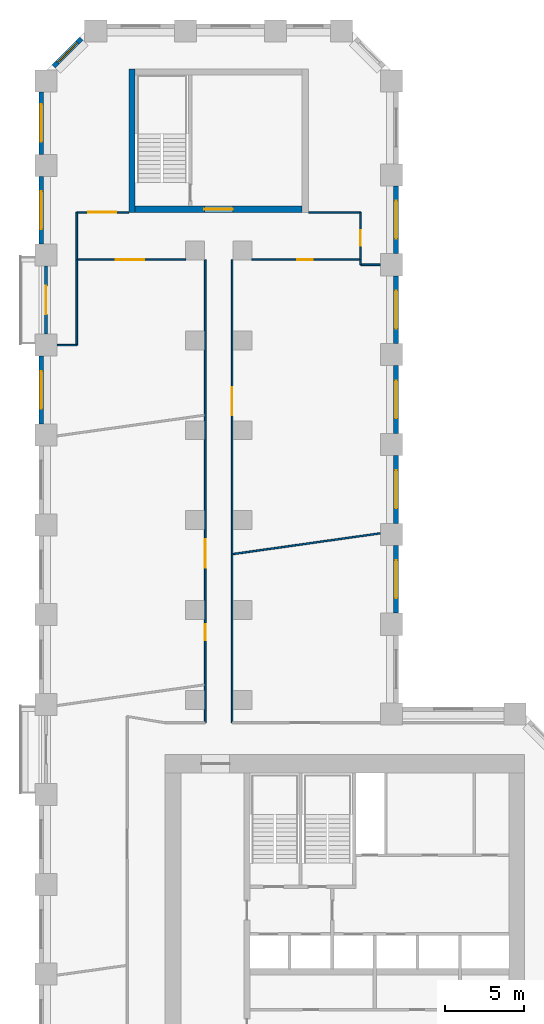
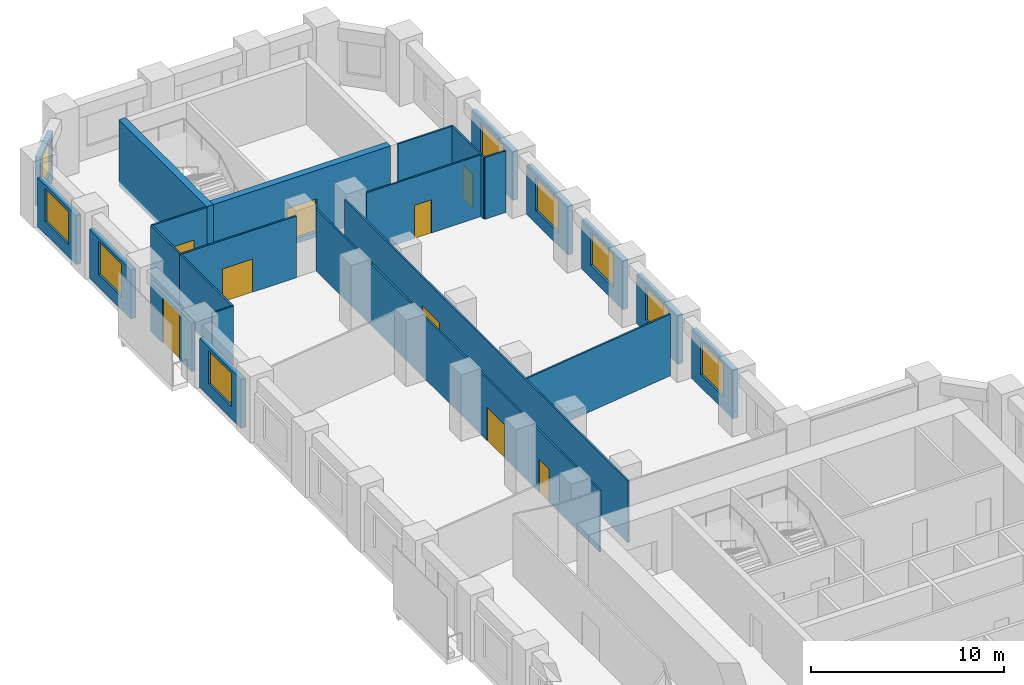
# One storey, part 9 of 12: 25 walls, 9 doors, 9 windows, 18 openings.
"""IFC4 building model written with IfcOpenShell, lengths in metres."""

from ifc_helpers import new_model, si_unit, direction, frame, frame_2d, origin, place, context, subcontext, project, spatial, rectangle, extrude, material, layer, layer_set, type_object, element, fill, save


model = new_model("IFC4")

# Units and contexts
model_context = context("Model", 3, precision=1e-05, world=origin(), true_north=direction((0.0, 1.0)))
body_context = subcontext(model_context, "Body", "Model", "MODEL_VIEW")
ifc_project = project(units=[si_unit("LENGTHUNIT", "METRE"), si_unit("AREAUNIT", "SQUARE_METRE"), si_unit("VOLUMEUNIT", "CUBIC_METRE"), si_unit("PLANEANGLEUNIT", "RADIAN"), si_unit("MASSUNIT", "GRAM", prefix="KILO")], contexts=[model_context])

# Site, building, storey
site_placement = place(None, origin())
site = spatial("IfcSite", under=ifc_project, at=site_placement, CompositionType="ELEMENT")
building_placement = place(site_placement, origin())
building = spatial("IfcBuilding", under=site, at=building_placement, Name="Meshkara Civic Tower", CompositionType="ELEMENT")
storey_placement = place(building_placement, frame((0.0, 0.0, 62.39990234375)))
storey = spatial("IfcBuildingStorey", under=building, at=storey_placement, Name="L13", CompositionType="ELEMENT", Elevation=62.39990234375)

# Wall, opening, door
ifc_material_1 = material(Name="Corridor wall 100")
ifc_layer_1 = layer(ifc_material_1, 0.10009765625)
ifc_layer_set_1 = layer_set([ifc_layer_1], Name="Corridor wall 100")
wall_type_1 = type_object("IfcWallType", Name="Corridor wall 100", PredefinedType="PARTITIONING", material=ifc_layer_set_1)
wall_1_placement = place(storey_placement, frame((2.39990234375, 68.27001953125, 0.0), z_axis=(0.0, 0.0, 1.0), x_axis=(1.0, 0.0, 0.0)))
wall_1 = element("IfcWall", 1, at=wall_1_placement, inside=storey, type_object=wall_type_1, Name="L13-W001", PredefinedType="PARTITIONING", context=body_context, shape_type="SweptSolid", body=[
    extrude(rectangle(XDim=6.900146484375, YDim=0.10009765625, at=frame_2d((3.4501953125, 0.0))), origin(), (0.0, 0.0, 1.0), 3.900146484375),
])
opening_1_placement = place(wall_1_placement, frame((2.47998046875, 0.0, 0.0)))
opening_1 = element("IfcOpeningElement", 2, at=opening_1_placement, cuts=wall_1, Name="Opening L13-D024", PredefinedType="OPENING", context=body_context, shape_type="SweptSolid", body=[
    extrude(rectangle(XDim=1.800048828125, YDim=2.10009765625, at=frame_2d((0.89990234375, 1.050048828125))), frame((0.0, 0.06005859375, 0.0), z_axis=(0.0, -1.0, 0.0), x_axis=(1.0, 0.0, 0.0)), (0.0, 0.0, 1.0), 0.1201171875),
])
ifc_material_2 = material(Name="Door pair 1800 x 2100")
door_type_1 = type_object("IfcDoorType", Name="Door pair 1800 x 2100", OperationType="SINGLE_SWING_LEFT", PredefinedType="DOOR", material=ifc_material_2)
door_1_placement = place(opening_1_placement, origin())
door_1 = element("IfcDoor", 3, at=door_1_placement, inside=storey, type_object=door_type_1, Name="L13-D024", OperationType="DOUBLE_DOOR_SINGLE_SWING", OverallHeight=2.10009765625, OverallWidth=1.800048828125, PredefinedType="DOOR", context=body_context, shape_type="SweptSolid", body=[
    extrude(rectangle(XDim=1.800048828125, YDim=2.10009765625, at=frame_2d((0.89990234375, 1.050048828125))), frame((0.0, 0.02490234375, 0.0), z_axis=(0.0, -1.0, 0.0), x_axis=(1.0, 0.0, 0.0)), (0.0, 0.0, 1.0), 0.050048828125),
])
fill(opening_1, door_1)

# Wall
wall_2_placement = place(storey_placement, frame((2.39990234375, 71.27001953125, 0.0), z_axis=(0.0, 0.0, 1.0), x_axis=(0.0, -1.0, 0.0)))
element("IfcWall", 4, at=wall_2_placement, inside=storey, type_object=wall_type_1, Name="L13-W002", PredefinedType="PARTITIONING", context=body_context, shape_type="SweptSolid", body=[
    extrude(rectangle(XDim=3.0, YDim=0.10009765625, at=frame_2d((1.5, 0.0))), origin(), (0.0, 0.0, 1.0), 3.900146484375),
])

# Wall, opening, door
wall_3_placement = place(storey_placement, frame((5.699951171875, 71.27001953125, 0.0), z_axis=(0.0, 0.0, 1.0), x_axis=(-1.0, 0.0, 0.0)))
wall_3 = element("IfcWall", 5, at=wall_3_placement, inside=storey, type_object=wall_type_1, Name="L13-W005", PredefinedType="PARTITIONING", context=body_context, shape_type="SweptSolid", body=[
    extrude(rectangle(XDim=3.300048828125, YDim=0.10009765625, at=frame_2d((1.64990234375, 0.0))), origin(), (0.0, 0.0, 1.0), 3.900146484375),
])
opening_2_placement = place(wall_3_placement, frame((0.780029296875, 0.0, 0.0)))
opening_2 = element("IfcOpeningElement", 6, at=opening_2_placement, cuts=wall_3, Name="Opening L13-D023", PredefinedType="OPENING", context=body_context, shape_type="SweptSolid", body=[
    extrude(rectangle(XDim=1.800048828125, YDim=2.10009765625, at=frame_2d((0.89990234375, 1.050048828125))), frame((0.0, 0.06005859375, 0.0), z_axis=(0.0, -1.0, 0.0), x_axis=(1.0, 0.0, 0.0)), (0.0, 0.0, 1.0), 0.1201171875),
])
door_2_placement = place(opening_2_placement, origin())
door_2 = element("IfcDoor", 7, at=door_2_placement, inside=storey, type_object=door_type_1, Name="L13-D023", OperationType="DOUBLE_DOOR_SINGLE_SWING", OverallHeight=2.10009765625, OverallWidth=1.800048828125, PredefinedType="DOOR", context=body_context, shape_type="SweptSolid", body=[
    extrude(rectangle(XDim=1.800048828125, YDim=2.10009765625, at=frame_2d((0.89990234375, 1.050048828125))), frame((0.0, 0.02490234375, 0.0), z_axis=(0.0, -1.0, 0.0), x_axis=(1.0, 0.0, 0.0)), (0.0, 0.0, 1.0), 0.050048828125),
])
fill(opening_2, door_2)

# Wall, openings, doors
wall_4_placement = place(storey_placement, frame((10.550048828125, 68.27001953125, 0.0), z_axis=(0.0, 0.0, 1.0), x_axis=(0.0, -1.0, 0.0)))
wall_4 = element("IfcWall", 8, at=wall_4_placement, inside=storey, type_object=wall_type_1, Name="L13-W013", PredefinedType="PARTITIONING", context=body_context, shape_type="SweptSolid", body=[
    extrude(rectangle(XDim=29.3701171875, YDim=0.10009765625, at=frame_2d((14.68505859375, 0.0))), origin(), (0.0, 0.0, 1.0), 3.900146484375),
])
opening_3_placement = place(wall_4_placement, frame((23.136962890625, 0.0, 0.0)))
opening_3 = element("IfcOpeningElement", 9, at=opening_3_placement, cuts=wall_4, Name="Opening L13-D020", PredefinedType="OPENING", context=body_context, shape_type="SweptSolid", body=[
    extrude(rectangle(XDim=1.0, YDim=2.10009765625, at=frame_2d((0.5, 1.050048828125))), frame((0.0, 0.06005859375, 0.0), z_axis=(0.0, -1.0, 0.0), x_axis=(1.0, 0.0, 0.0)), (0.0, 0.0, 1.0), 0.1201171875),
])
opening_4_placement = place(wall_4_placement, frame((17.737060546875, 0.0, 0.0)))
opening_4 = element("IfcOpeningElement", 10, at=opening_4_placement, cuts=wall_4, Name="Opening L13-D021", PredefinedType="OPENING", context=body_context, shape_type="SweptSolid", body=[
    extrude(rectangle(XDim=1.800048828125, YDim=2.10009765625, at=frame_2d((0.89990234375, 1.050048828125))), frame((0.0, 0.06005859375, 0.0), z_axis=(0.0, -1.0, 0.0), x_axis=(1.0, 0.0, 0.0)), (0.0, 0.0, 1.0), 0.1201171875),
])
ifc_material_3 = material(Name="Door 1000 x 2100")
door_type_2 = type_object("IfcDoorType", Name="Door 1000 x 2100", OperationType="SINGLE_SWING_LEFT", PredefinedType="DOOR", material=ifc_material_3)
door_3_placement = place(opening_3_placement, origin())
door_3 = element("IfcDoor", 11, at=door_3_placement, inside=storey, type_object=door_type_2, Name="L13-D020", OperationType="SINGLE_SWING_LEFT", OverallHeight=2.10009765625, OverallWidth=1.0, PredefinedType="DOOR", context=body_context, shape_type="SweptSolid", body=[
    extrude(rectangle(XDim=1.0, YDim=2.10009765625, at=frame_2d((0.5, 1.050048828125))), frame((0.0, 0.02490234375, 0.0), z_axis=(0.0, -1.0, 0.0), x_axis=(1.0, 0.0, 0.0)), (0.0, 0.0, 1.0), 0.050048828125),
])
fill(opening_3, door_3)
door_4_placement = place(opening_4_placement, origin())
door_4 = element("IfcDoor", 12, at=door_4_placement, inside=storey, type_object=door_type_1, Name="L13-D021", OperationType="DOUBLE_DOOR_SINGLE_SWING", OverallHeight=2.10009765625, OverallWidth=1.800048828125, PredefinedType="DOOR", context=body_context, shape_type="SweptSolid", body=[
    extrude(rectangle(XDim=1.800048828125, YDim=2.10009765625, at=frame_2d((0.89990234375, 1.050048828125))), frame((0.0, 0.02490234375, 0.0), z_axis=(0.0, -1.0, 0.0), x_axis=(1.0, 0.0, 0.0)), (0.0, 0.0, 1.0), 0.050048828125),
])
fill(opening_4, door_4)

# Wall, opening, door
wall_5_placement = place(storey_placement, frame((12.25, 68.27001953125, 0.0), z_axis=(0.0, 0.0, 1.0), x_axis=(0.0, -1.0, 0.0)))
wall_5 = element("IfcWall", 13, at=wall_5_placement, inside=storey, type_object=wall_type_1, Name="L13-W014", PredefinedType="PARTITIONING", context=body_context, shape_type="SweptSolid", body=[
    extrude(rectangle(XDim=29.3701171875, YDim=0.10009765625, at=frame_2d((14.68505859375, 0.0))), origin(), (0.0, 0.0, 1.0), 3.900146484375),
])
opening_5_placement = place(wall_5_placement, frame((8.080078125, 0.0, 0.0)))
opening_5 = element("IfcOpeningElement", 14, at=opening_5_placement, cuts=wall_5, Name="Opening L13-D022", PredefinedType="OPENING", context=body_context, shape_type="SweptSolid", body=[
    extrude(rectangle(XDim=1.800048828125, YDim=2.10009765625, at=frame_2d((0.89990234375, 1.050048828125))), frame((0.0, 0.06005859375, 0.0), z_axis=(0.0, -1.0, 0.0), x_axis=(1.0, 0.0, 0.0)), (0.0, 0.0, 1.0), 0.1201171875),
])
door_5_placement = place(opening_5_placement, origin())
door_5 = element("IfcDoor", 15, at=door_5_placement, inside=storey, type_object=door_type_1, Name="L13-D022", OperationType="DOUBLE_DOOR_SINGLE_SWING", OverallHeight=2.10009765625, OverallWidth=1.800048828125, PredefinedType="DOOR", context=body_context, shape_type="SweptSolid", body=[
    extrude(rectangle(XDim=1.800048828125, YDim=2.10009765625, at=frame_2d((0.89990234375, 1.050048828125))), frame((0.0, 0.02490234375, 0.0), z_axis=(0.0, -1.0, 0.0), x_axis=(1.0, 0.0, 0.0)), (0.0, 0.0, 1.0), 0.050048828125),
])
fill(opening_5, door_5)

wall_6_placement = place(storey_placement, frame((13.5, 68.27001953125, 0.0), z_axis=(0.0, 0.0, 1.0), x_axis=(1.0, 0.0, 0.0)))
wall_6 = element("IfcWall", 16, at=wall_6_placement, inside=storey, type_object=wall_type_1, Name="L13-W016", PredefinedType="PARTITIONING", context=body_context, shape_type="SweptSolid", body=[
    extrude(rectangle(XDim=6.89990234375, YDim=0.10009765625, at=frame_2d((3.449951171875, 0.0))), origin(), (0.0, 0.0, 1.0), 3.900146484375),
])
opening_6_placement = place(wall_6_placement, frame((2.8798828125, 0.0, 0.0)))
opening_6 = element("IfcOpeningElement", 17, at=opening_6_placement, cuts=wall_6, Name="Opening L13-D025", PredefinedType="OPENING", context=body_context, shape_type="SweptSolid", body=[
    extrude(rectangle(XDim=1.0, YDim=2.10009765625, at=frame_2d((0.5, 1.050048828125))), frame((0.0, 0.06005859375, 0.0), z_axis=(0.0, -1.0, 0.0), x_axis=(1.0, 0.0, 0.0)), (0.0, 0.0, 1.0), 0.1201171875),
])
door_6_placement = place(opening_6_placement, origin())
door_6 = element("IfcDoor", 18, at=door_6_placement, inside=storey, type_object=door_type_2, Name="L13-D025", OperationType="SINGLE_SWING_RIGHT", OverallHeight=2.10009765625, OverallWidth=1.0, PredefinedType="DOOR", context=body_context, shape_type="SweptSolid", body=[
    extrude(rectangle(XDim=1.0, YDim=2.10009765625, at=frame_2d((0.5, 1.050048828125))), frame((0.0, 0.02490234375, 0.0), z_axis=(0.0, -1.0, 0.0), x_axis=(1.0, 0.0, 0.0)), (0.0, 0.0, 1.0), 0.050048828125),
])
fill(opening_6, door_6)

wall_7_placement = place(storey_placement, frame((20.39990234375, 68.27001953125, 0.0), z_axis=(0.0, 0.0, 1.0), x_axis=(0.0, 1.0, 0.0)))
wall_7 = element("IfcWall", 19, at=wall_7_placement, inside=storey, type_object=wall_type_1, Name="L13-W017", PredefinedType="PARTITIONING", context=body_context, shape_type="SweptSolid", body=[
    extrude(rectangle(XDim=3.0, YDim=0.10009765625, at=frame_2d((1.5, 0.0))), origin(), (0.0, 0.0, 1.0), 3.900146484375),
])
opening_7_placement = place(wall_7_placement, frame((0.8798828125, 0.0, 0.0)))
opening_7 = element("IfcOpeningElement", 20, at=opening_7_placement, cuts=wall_7, Name="Opening L13-D026", PredefinedType="OPENING", context=body_context, shape_type="SweptSolid", body=[
    extrude(rectangle(XDim=1.0, YDim=2.10009765625, at=frame_2d((0.5, 1.050048828125))), frame((0.0, 0.06005859375, 0.0), z_axis=(0.0, -1.0, 0.0), x_axis=(1.0, 0.0, 0.0)), (0.0, 0.0, 1.0), 0.1201171875),
])
door_7_placement = place(opening_7_placement, origin())
door_7 = element("IfcDoor", 21, at=door_7_placement, inside=storey, type_object=door_type_2, Name="L13-D026", OperationType="SINGLE_SWING_RIGHT", OverallHeight=2.10009765625, OverallWidth=1.0, PredefinedType="DOOR", context=body_context, shape_type="SweptSolid", body=[
    extrude(rectangle(XDim=1.0, YDim=2.10009765625, at=frame_2d((0.5, 1.050048828125))), frame((0.0, 0.02490234375, 0.0), z_axis=(0.0, -1.0, 0.0), x_axis=(1.0, 0.0, 0.0)), (0.0, 0.0, 1.0), 0.050048828125),
])
fill(opening_7, door_7)

# Wall
wall_8_placement = place(storey_placement, frame((20.39990234375, 71.27001953125, 0.0), z_axis=(0.0, 0.0, 1.0), x_axis=(-1.0, 0.0, 0.0)))
element("IfcWall", 22, at=wall_8_placement, inside=storey, type_object=wall_type_1, Name="L13-W018", PredefinedType="PARTITIONING", context=body_context, shape_type="SweptSolid", body=[
    extrude(rectangle(XDim=3.2998046875, YDim=0.10009765625, at=frame_2d((1.64990234375, 0.0))), origin(), (0.0, 0.0, 1.0), 3.900146484375),
])

# Wall, opening, window
ifc_material_4 = material(Name="Insulated infill panel with bronze anodised aluminium cladding", Category="aluminium")
ifc_layer_2 = layer(ifc_material_4, 0.300048828125)
ifc_layer_set_2 = layer_set([ifc_layer_2], Name="EXTERNAL INFILL WALL 300")
wall_type_2 = type_object("IfcWallType", Name="EXTERNAL INFILL WALL 300", PredefinedType="SOLIDWALL", material=ifc_layer_set_2)
wall_9_placement = place(storey_placement, frame((22.64990234375, 45.85009765625, 0.0), z_axis=(0.0, 0.0, 1.0), x_axis=(0.0, 1.0, 0.0)))
wall_9 = element("IfcWall", 23, at=wall_9_placement, inside=storey, type_object=wall_type_2, Name="External wall", PredefinedType="SOLIDWALL", context=body_context, shape_type="SweptSolid", body=[
    extrude(rectangle(XDim=4.2998046875, YDim=0.300048828125, at=frame_2d((2.14990234375, 0.0))), origin(), (0.0, 0.0, 1.0), 3.10009765625),
])
opening_8_placement = place(wall_9_placement, frame((0.949951171875, 0.0, 0.800048828125)))
opening_8 = element("IfcOpeningElement", 24, at=opening_8_placement, cuts=wall_9, Name="Opening W7", PredefinedType="OPENING", context=body_context, shape_type="SweptSolid", body=[
    extrude(rectangle(XDim=2.39990234375, YDim=2.10009765625, at=frame_2d((1.199951171875, 1.050048828125))), frame((0.0, 0.159912109375, 0.0), z_axis=(0.0, -1.0, 0.0), x_axis=(1.0, 0.0, 0.0)), (0.0, 0.0, 1.0), 0.320068359375),
])
ifc_material_5 = material(Name="Tinted double glazing", Category="glass")
window_type_1 = type_object("IfcWindowType", Name="WINDOW 2400x2100", PartitioningType="DOUBLE_PANEL_VERTICAL", PredefinedType="WINDOW", material=ifc_material_5)
window_1_placement = place(opening_8_placement, origin())
window_1 = element("IfcWindow", 25, at=window_1_placement, inside=storey, type_object=window_type_1, Name="Window", OverallHeight=2.10009765625, OverallWidth=2.39990234375, PartitioningType="DOUBLE_PANEL_VERTICAL", PredefinedType="WINDOW", context=body_context, shape_type="SweptSolid", body=[
    extrude(rectangle(XDim=2.39990234375, YDim=2.10009765625, at=frame_2d((1.199951171875, 1.050048828125))), frame((0.0, 0.030029296875, 0.0), z_axis=(0.0, -1.0, 0.0), x_axis=(1.0, 0.0, 0.0)), (0.0, 0.0, 1.0), 0.06005859375),
])
fill(opening_8, window_1)

wall_10_placement = place(storey_placement, frame((22.64990234375, 51.550048828125, 0.0), z_axis=(0.0, 0.0, 1.0), x_axis=(0.0, 1.0, 0.0)))
wall_10 = element("IfcWall", 26, at=wall_10_placement, inside=storey, type_object=wall_type_2, Name="External wall", PredefinedType="SOLIDWALL", context=body_context, shape_type="SweptSolid", body=[
    extrude(rectangle(XDim=4.300048828125, YDim=0.300048828125, at=frame_2d((2.14990234375, 0.0))), origin(), (0.0, 0.0, 1.0), 3.10009765625),
])
opening_9_placement = place(wall_10_placement, frame((0.949951171875, 0.0, 0.800048828125)))
opening_9 = element("IfcOpeningElement", 27, at=opening_9_placement, cuts=wall_10, Name="Opening W7", PredefinedType="OPENING", context=body_context, shape_type="SweptSolid", body=[
    extrude(rectangle(XDim=2.39990234375, YDim=2.10009765625, at=frame_2d((1.199951171875, 1.050048828125))), frame((0.0, 0.159912109375, 0.0), z_axis=(0.0, -1.0, 0.0), x_axis=(1.0, 0.0, 0.0)), (0.0, 0.0, 1.0), 0.320068359375),
])
window_2_placement = place(opening_9_placement, origin())
window_2 = element("IfcWindow", 28, at=window_2_placement, inside=storey, type_object=window_type_1, Name="Window", OverallHeight=2.10009765625, OverallWidth=2.39990234375, PartitioningType="DOUBLE_PANEL_VERTICAL", PredefinedType="WINDOW", context=body_context, shape_type="SweptSolid", body=[
    extrude(rectangle(XDim=2.39990234375, YDim=2.10009765625, at=frame_2d((1.199951171875, 1.050048828125))), frame((0.0, 0.030029296875, 0.0), z_axis=(0.0, -1.0, 0.0), x_axis=(1.0, 0.0, 0.0)), (0.0, 0.0, 1.0), 0.06005859375),
])
fill(opening_9, window_2)

wall_11_placement = place(storey_placement, frame((22.64990234375, 57.25, 0.0), z_axis=(0.0, 0.0, 1.0), x_axis=(0.0, 1.0, 0.0)))
wall_11 = element("IfcWall", 29, at=wall_11_placement, inside=storey, type_object=wall_type_2, Name="External wall", PredefinedType="SOLIDWALL", context=body_context, shape_type="SweptSolid", body=[
    extrude(rectangle(XDim=4.300048828125, YDim=0.300048828125, at=frame_2d((2.14990234375, 0.0))), origin(), (0.0, 0.0, 1.0), 3.10009765625),
])
opening_10_placement = place(wall_11_placement, frame((0.949951171875, 0.0, 0.800048828125)))
opening_10 = element("IfcOpeningElement", 30, at=opening_10_placement, cuts=wall_11, Name="Opening W7", PredefinedType="OPENING", context=body_context, shape_type="SweptSolid", body=[
    extrude(rectangle(XDim=2.39990234375, YDim=2.10009765625, at=frame_2d((1.199951171875, 1.050048828125))), frame((0.0, 0.159912109375, 0.0), z_axis=(0.0, -1.0, 0.0), x_axis=(1.0, 0.0, 0.0)), (0.0, 0.0, 1.0), 0.320068359375),
])
window_3_placement = place(opening_10_placement, origin())
window_3 = element("IfcWindow", 31, at=window_3_placement, inside=storey, type_object=window_type_1, Name="Window", OverallHeight=2.10009765625, OverallWidth=2.39990234375, PartitioningType="DOUBLE_PANEL_VERTICAL", PredefinedType="WINDOW", context=body_context, shape_type="SweptSolid", body=[
    extrude(rectangle(XDim=2.39990234375, YDim=2.10009765625, at=frame_2d((1.199951171875, 1.050048828125))), frame((0.0, 0.030029296875, 0.0), z_axis=(0.0, -1.0, 0.0), x_axis=(1.0, 0.0, 0.0)), (0.0, 0.0, 1.0), 0.06005859375),
])
fill(opening_10, window_3)

wall_12_placement = place(storey_placement, frame((22.64990234375, 62.949951171875, 0.0), z_axis=(0.0, 0.0, 1.0), x_axis=(0.0, 1.0, 0.0)))
wall_12 = element("IfcWall", 32, at=wall_12_placement, inside=storey, type_object=wall_type_2, Name="External wall", PredefinedType="SOLIDWALL", context=body_context, shape_type="SweptSolid", body=[
    extrude(rectangle(XDim=4.300048828125, YDim=0.300048828125, at=frame_2d((2.14990234375, 0.0))), origin(), (0.0, 0.0, 1.0), 3.10009765625),
])
opening_11_placement = place(wall_12_placement, frame((0.949951171875, 0.0, 0.800048828125)))
opening_11 = element("IfcOpeningElement", 33, at=opening_11_placement, cuts=wall_12, Name="Opening W7", PredefinedType="OPENING", context=body_context, shape_type="SweptSolid", body=[
    extrude(rectangle(XDim=2.39990234375, YDim=2.10009765625, at=frame_2d((1.199951171875, 1.050048828125))), frame((0.0, 0.159912109375, 0.0), z_axis=(0.0, -1.0, 0.0), x_axis=(1.0, 0.0, 0.0)), (0.0, 0.0, 1.0), 0.320068359375),
])
window_4_placement = place(opening_11_placement, origin())
window_4 = element("IfcWindow", 34, at=window_4_placement, inside=storey, type_object=window_type_1, Name="Window", OverallHeight=2.10009765625, OverallWidth=2.39990234375, PartitioningType="DOUBLE_PANEL_VERTICAL", PredefinedType="WINDOW", context=body_context, shape_type="SweptSolid", body=[
    extrude(rectangle(XDim=2.39990234375, YDim=2.10009765625, at=frame_2d((1.199951171875, 1.050048828125))), frame((0.0, 0.030029296875, 0.0), z_axis=(0.0, -1.0, 0.0), x_axis=(1.0, 0.0, 0.0)), (0.0, 0.0, 1.0), 0.06005859375),
])
fill(opening_11, window_4)

wall_13_placement = place(storey_placement, frame((22.64990234375, 68.64990234375, 0.0), z_axis=(0.0, 0.0, 1.0), x_axis=(0.0, 1.0, 0.0)))
wall_13 = element("IfcWall", 35, at=wall_13_placement, inside=storey, type_object=wall_type_2, Name="External wall", PredefinedType="SOLIDWALL", context=body_context, shape_type="SweptSolid", body=[
    extrude(rectangle(XDim=4.300048828125, YDim=0.300048828125, at=frame_2d((2.14990234375, 0.0))), origin(), (0.0, 0.0, 1.0), 3.10009765625),
])
opening_12_placement = place(wall_13_placement, frame((0.949951171875, 0.0, 0.800048828125)))
opening_12 = element("IfcOpeningElement", 36, at=opening_12_placement, cuts=wall_13, Name="Opening W7", PredefinedType="OPENING", context=body_context, shape_type="SweptSolid", body=[
    extrude(rectangle(XDim=2.39990234375, YDim=2.10009765625, at=frame_2d((1.199951171875, 1.050048828125))), frame((0.0, 0.159912109375, 0.0), z_axis=(0.0, -1.0, 0.0), x_axis=(1.0, 0.0, 0.0)), (0.0, 0.0, 1.0), 0.320068359375),
])
window_5_placement = place(opening_12_placement, origin())
window_5 = element("IfcWindow", 37, at=window_5_placement, inside=storey, type_object=window_type_1, Name="Window", OverallHeight=2.10009765625, OverallWidth=2.39990234375, PartitioningType="DOUBLE_PANEL_VERTICAL", PredefinedType="WINDOW", context=body_context, shape_type="SweptSolid", body=[
    extrude(rectangle(XDim=2.39990234375, YDim=2.10009765625, at=frame_2d((1.199951171875, 1.050048828125))), frame((0.0, 0.030029296875, 0.0), z_axis=(0.0, -1.0, 0.0), x_axis=(1.0, 0.0, 0.0)), (0.0, 0.0, 1.0), 0.06005859375),
])
fill(opening_12, window_5)

wall_14_placement = place(storey_placement, frame((2.694091796875, 82.281982421875, 0.0), z_axis=(0.0, 0.0, 1.0), x_axis=(-0.707106781187, -0.707106781187, 0.0)))
wall_14 = element("IfcWall", 38, at=wall_14_placement, inside=storey, type_object=wall_type_2, Name="External wall", PredefinedType="SOLIDWALL", context=body_context, shape_type="SweptSolid", body=[
    extrude(rectangle(XDim=2.4833984375, YDim=0.300048828125, at=frame_2d((1.24169921875, 0.0))), origin(), (0.0, 0.0, 1.0), 3.10009765625),
])
opening_13_placement = place(wall_14_placement, frame((0.342041015625, 0.0, 0.800048828125)))
opening_13 = element("IfcOpeningElement", 39, at=opening_13_placement, cuts=wall_14, Name="Opening W9", PredefinedType="OPENING", context=body_context, shape_type="SweptSolid", body=[
    extrude(rectangle(XDim=1.800048828125, YDim=2.10009765625, at=frame_2d((0.89990234375, 1.050048828125))), frame((0.0, 0.159912109375, 0.0), z_axis=(0.0, -1.0, 0.0), x_axis=(1.0, 0.0, 0.0)), (0.0, 0.0, 1.0), 0.320068359375),
])
ifc_material_6 = material(Name="Tinted double glazing", Category="glass")
window_type_2 = type_object("IfcWindowType", Name="WINDOW 1800x2100", PartitioningType="DOUBLE_PANEL_VERTICAL", PredefinedType="WINDOW", material=ifc_material_6)
window_6_placement = place(opening_13_placement, origin())
window_6 = element("IfcWindow", 40, at=window_6_placement, inside=storey, type_object=window_type_2, Name="Window", OverallHeight=2.10009765625, OverallWidth=1.800048828125, PartitioningType="DOUBLE_PANEL_VERTICAL", PredefinedType="WINDOW", context=body_context, shape_type="SweptSolid", body=[
    extrude(rectangle(XDim=1.800048828125, YDim=2.10009765625, at=frame_2d((0.89990234375, 1.050048828125))), frame((0.0, 0.030029296875, 0.0), z_axis=(0.0, -1.0, 0.0), x_axis=(1.0, 0.0, 0.0)), (0.0, 0.0, 1.0), 0.06005859375),
])
fill(opening_13, window_6)

wall_15_placement = place(storey_placement, frame((0.14990234375, 78.9140625, 0.0), z_axis=(0.0, 0.0, 1.0), x_axis=(0.0, -1.0, 0.0)))
wall_15 = element("IfcWall", 41, at=wall_15_placement, inside=storey, type_object=wall_type_2, Name="External wall", PredefinedType="SOLIDWALL", context=body_context, shape_type="SweptSolid", body=[
    extrude(rectangle(XDim=3.958984375, YDim=0.300048828125, at=frame_2d((1.9794921875, 0.0))), origin(), (0.0, 0.0, 1.0), 3.10009765625),
])
opening_14_placement = place(wall_15_placement, frame((0.780029296875, 0.0, 0.800048828125)))
opening_14 = element("IfcOpeningElement", 42, at=opening_14_placement, cuts=wall_15, Name="Opening W7", PredefinedType="OPENING", context=body_context, shape_type="SweptSolid", body=[
    extrude(rectangle(XDim=2.39990234375, YDim=2.10009765625, at=frame_2d((1.199951171875, 1.050048828125))), frame((0.0, 0.159912109375, 0.0), z_axis=(0.0, -1.0, 0.0), x_axis=(1.0, 0.0, 0.0)), (0.0, 0.0, 1.0), 0.320068359375),
])
window_7_placement = place(opening_14_placement, origin())
window_7 = element("IfcWindow", 43, at=window_7_placement, inside=storey, type_object=window_type_1, Name="Window", OverallHeight=2.10009765625, OverallWidth=2.39990234375, PartitioningType="DOUBLE_PANEL_VERTICAL", PredefinedType="WINDOW", context=body_context, shape_type="SweptSolid", body=[
    extrude(rectangle(XDim=2.39990234375, YDim=2.10009765625, at=frame_2d((1.199951171875, 1.050048828125))), frame((0.0, 0.030029296875, 0.0), z_axis=(0.0, -1.0, 0.0), x_axis=(1.0, 0.0, 0.0)), (0.0, 0.0, 1.0), 0.06005859375),
])
fill(opening_14, window_7)

wall_16_placement = place(storey_placement, frame((0.14990234375, 73.554931640625, 0.0), z_axis=(0.0, 0.0, 1.0), x_axis=(0.0, -1.0, 0.0)))
wall_16 = element("IfcWall", 44, at=wall_16_placement, inside=storey, type_object=wall_type_2, Name="External wall", PredefinedType="SOLIDWALL", context=body_context, shape_type="SweptSolid", body=[
    extrude(rectangle(XDim=4.300048828125, YDim=0.300048828125, at=frame_2d((2.14990234375, 0.0))), origin(), (0.0, 0.0, 1.0), 3.10009765625),
])
opening_15_placement = place(wall_16_placement, frame((0.949951171875, 0.0, 0.800048828125)))
opening_15 = element("IfcOpeningElement", 45, at=opening_15_placement, cuts=wall_16, Name="Opening W7", PredefinedType="OPENING", context=body_context, shape_type="SweptSolid", body=[
    extrude(rectangle(XDim=2.39990234375, YDim=2.10009765625, at=frame_2d((1.199951171875, 1.050048828125))), frame((0.0, 0.159912109375, 0.0), z_axis=(0.0, -1.0, 0.0), x_axis=(1.0, 0.0, 0.0)), (0.0, 0.0, 1.0), 0.320068359375),
])
window_8_placement = place(opening_15_placement, origin())
window_8 = element("IfcWindow", 46, at=window_8_placement, inside=storey, type_object=window_type_1, Name="Window", OverallHeight=2.10009765625, OverallWidth=2.39990234375, PartitioningType="DOUBLE_PANEL_VERTICAL", PredefinedType="WINDOW", context=body_context, shape_type="SweptSolid", body=[
    extrude(rectangle(XDim=2.39990234375, YDim=2.10009765625, at=frame_2d((1.199951171875, 1.050048828125))), frame((0.0, 0.030029296875, 0.0), z_axis=(0.0, -1.0, 0.0), x_axis=(1.0, 0.0, 0.0)), (0.0, 0.0, 1.0), 0.06005859375),
])
fill(opening_15, window_8)

wall_17_placement = place(storey_placement, frame((0.14990234375, 62.155029296875, 0.0), z_axis=(0.0, 0.0, 1.0), x_axis=(0.0, -1.0, 0.0)))
wall_17 = element("IfcWall", 47, at=wall_17_placement, inside=storey, type_object=wall_type_2, Name="External wall", PredefinedType="SOLIDWALL", context=body_context, shape_type="SweptSolid", body=[
    extrude(rectangle(XDim=4.300048828125, YDim=0.300048828125, at=frame_2d((2.14990234375, 0.0))), origin(), (0.0, 0.0, 1.0), 3.10009765625),
])
opening_16_placement = place(wall_17_placement, frame((0.949951171875, 0.0, 0.800048828125)))
opening_16 = element("IfcOpeningElement", 48, at=opening_16_placement, cuts=wall_17, Name="Opening W7", PredefinedType="OPENING", context=body_context, shape_type="SweptSolid", body=[
    extrude(rectangle(XDim=2.39990234375, YDim=2.10009765625, at=frame_2d((1.199951171875, 1.050048828125))), frame((0.0, 0.159912109375, 0.0), z_axis=(0.0, -1.0, 0.0), x_axis=(1.0, 0.0, 0.0)), (0.0, 0.0, 1.0), 0.320068359375),
])
window_9_placement = place(opening_16_placement, origin())
window_9 = element("IfcWindow", 49, at=window_9_placement, inside=storey, type_object=window_type_1, Name="Window", OverallHeight=2.10009765625, OverallWidth=2.39990234375, PartitioningType="DOUBLE_PANEL_VERTICAL", PredefinedType="WINDOW", context=body_context, shape_type="SweptSolid", body=[
    extrude(rectangle(XDim=2.39990234375, YDim=2.10009765625, at=frame_2d((1.199951171875, 1.050048828125))), frame((0.0, 0.030029296875, 0.0), z_axis=(0.0, -1.0, 0.0), x_axis=(1.0, 0.0, 0.0)), (0.0, 0.0, 1.0), 0.06005859375),
])
fill(opening_16, window_9)

# Wall
ifc_material_7 = material(Name="Concrete C80", Category="concrete")
ifc_layer_3 = layer(ifc_material_7, 0.39990234375)
ifc_layer_set_3 = layer_set([ifc_layer_3], Name="End core ring wall 400 C80")
wall_type_3 = type_object("IfcWallType", Name="End core ring wall 400 C80", PredefinedType="SHEAR", material=ifc_layer_set_3)
wall_18_placement = place(storey_placement, frame((5.89990234375, 71.27001953125, -0.2998046875), z_axis=(0.0, 0.0, 1.0), x_axis=(0.0, 1.0, 0.0)))
element("IfcWall", 50, at=wall_18_placement, inside=storey, type_object=wall_type_3, Name="L13-C026", PredefinedType="SHEAR", context=body_context, shape_type="SweptSolid", body=[
    extrude(rectangle(XDim=9.10009765625, YDim=0.39990234375, at=frame_2d((4.550048828125, 0.0))), origin(), (0.0, 0.0, 1.0), 4.199951171875),
])

# Wall, opening, door
wall_19_placement = place(storey_placement, frame((6.10009765625, 71.469970703125, -0.2998046875), z_axis=(0.0, 0.0, 1.0), x_axis=(1.0, 0.0, 0.0)))
wall_19 = element("IfcWall", 51, at=wall_19_placement, inside=storey, type_object=wall_type_3, Name="L13-C028", PredefinedType="SHEAR", context=body_context, shape_type="SweptSolid", body=[
    extrude(rectangle(XDim=10.599853515625, YDim=0.39990234375, at=frame_2d((5.2998046875, 0.0))), origin(), (0.0, 0.0, 1.0), 4.199951171875),
])
opening_17_placement = place(wall_19_placement, frame((4.39990234375, 0.0, 0.300048828125)))
opening_17 = element("IfcOpeningElement", 52, at=opening_17_placement, cuts=wall_19, Name="Opening L13-K102", PredefinedType="OPENING", context=body_context, shape_type="SweptSolid", body=[
    extrude(rectangle(XDim=1.800048828125, YDim=2.10009765625, at=frame_2d((0.89990234375, 1.050048828125))), frame((0.0, 0.2099609375, 0.0), z_axis=(0.0, -1.0, 0.0), x_axis=(1.0, 0.0, 0.0)), (0.0, 0.0, 1.0), 0.419921875),
])
ifc_material_8 = material(Name="Fire-rated door leaf in steel frame", Category="steel")
door_type_3 = type_object("IfcDoorType", Name="Core double door 1800 EI 60", OperationType="DOUBLE_DOOR_SINGLE_SWING", PredefinedType="DOOR", material=ifc_material_8)
door_8_placement = place(opening_17_placement, origin())
door_8 = element("IfcDoor", 53, at=door_8_placement, inside=storey, type_object=door_type_3, Name="L13-K102", OperationType="DOUBLE_DOOR_SINGLE_SWING", OverallHeight=2.10009765625, OverallWidth=1.800048828125, PredefinedType="DOOR", context=body_context, shape_type="SweptSolid", body=[
    extrude(rectangle(XDim=1.800048828125, YDim=2.10009765625, at=frame_2d((0.89990234375, 1.050048828125))), frame((0.0, 0.02490234375, 0.0), z_axis=(0.0, -1.0, 0.0), x_axis=(1.0, 0.0, 0.0)), (0.0, 0.0, 1.0), 0.050048828125),
])
fill(opening_17, door_8)

ifc_material_9 = material(Name="Insulated infill panel with bronze anodised aluminium cladding", Category="aluminium")
ifc_layer_4 = layer(ifc_material_9, 0.199951171875)
ifc_layer_set_4 = layer_set([ifc_layer_4], Name="LOGGIA BACK WALL 200")
wall_type_4 = type_object("IfcWallType", Name="LOGGIA BACK WALL 200", PredefinedType="SOLIDWALL", material=ifc_layer_set_4)
wall_20_placement = place(storey_placement, frame((0.449951171875, 67.85498046875, 0.0), z_axis=(0.0, 0.0, 1.0), x_axis=(0.0, -1.0, 0.0)))
wall_20 = element("IfcWall", 54, at=wall_20_placement, inside=storey, type_object=wall_type_4, Name="Loggia wall", PredefinedType="SOLIDWALL", context=body_context, shape_type="SweptSolid", body=[
    extrude(rectangle(XDim=4.300048828125, YDim=0.199951171875, at=frame_2d((2.14990234375, 0.0))), origin(), (0.0, 0.0, 1.0), 3.10009765625),
])
opening_18_placement = place(wall_20_placement, frame((1.25, 0.0, 0.0)))
opening_18 = element("IfcOpeningElement", 55, at=opening_18_placement, cuts=wall_20, Name="Opening L13-L001", PredefinedType="OPENING", context=body_context, shape_type="SweptSolid", body=[
    extrude(rectangle(XDim=1.800048828125, YDim=2.89990234375, at=frame_2d((0.89990234375, 1.449951171875))), frame((0.0, 0.10986328125, 0.0), z_axis=(0.0, -1.0, 0.0), x_axis=(1.0, 0.0, 0.0)), (0.0, 0.0, 1.0), 0.219970703125),
])
ifc_material_10 = material(Name="Tinted double glazing", Category="glass")
door_type_4 = type_object("IfcDoorType", Name="LOGGIA DOOR 1800x2900", OperationType="DOUBLE_DOOR_SINGLE_SWING", PredefinedType="DOOR", material=ifc_material_10)
door_9_placement = place(opening_18_placement, origin())
door_9 = element("IfcDoor", 56, at=door_9_placement, inside=storey, type_object=door_type_4, Name="L13-L001", OperationType="DOUBLE_DOOR_SINGLE_SWING", OverallHeight=2.89990234375, OverallWidth=1.800048828125, PredefinedType="DOOR", context=body_context, shape_type="SweptSolid", body=[
    extrude(rectangle(XDim=1.800048828125, YDim=2.89990234375, at=frame_2d((0.89990234375, 1.449951171875))), frame((0.0, 0.02490234375, 0.0), z_axis=(0.0, -1.0, 0.0), x_axis=(1.0, 0.0, 0.0)), (0.0, 0.0, 1.0), 0.050048828125),
])
fill(opening_18, door_9)

# Walls
ifc_material_11 = material(Name="Partition 100")
ifc_layer_5 = layer(ifc_material_11, 0.10009765625)
ifc_layer_set_5 = layer_set([ifc_layer_5], Name="Partition 100")
wall_type_5 = type_object("IfcWallType", Name="Partition 100", PredefinedType="PARTITIONING", material=ifc_layer_set_5)
wall_21_placement = place(storey_placement, frame((2.39990234375, 62.85498046875, 0.0), z_axis=(0.0, 0.0, 1.0), x_axis=(-1.0, 0.0, 0.0)))
element("IfcWall", 57, at=wall_21_placement, inside=storey, type_object=wall_type_5, Name="L13-W032", PredefinedType="PARTITIONING", context=body_context, shape_type="SweptSolid", body=[
    extrude(rectangle(XDim=1.25, YDim=0.10009765625, at=frame_2d((0.625, 0.0))), origin(), (0.0, 0.0, 1.0), 3.900146484375),
])
wall_22_placement = place(storey_placement, frame((2.39990234375, 68.27392578125, 0.0), z_axis=(0.0, 0.0, 1.0), x_axis=(0.0, -1.0, 0.0)))
element("IfcWall", 58, at=wall_22_placement, inside=storey, type_object=wall_type_5, Name="L13-W033", PredefinedType="PARTITIONING", context=body_context, shape_type="SweptSolid", body=[
    extrude(rectangle(XDim=5.4189453125, YDim=0.10009765625, at=frame_2d((2.70947265625, 0.0))), origin(), (0.0, 0.0, 1.0), 3.900146484375),
])
wall_23_placement = place(storey_placement, frame((20.39990234375, 67.949951171875, 0.0), z_axis=(0.0, 0.0, 1.0), x_axis=(0.0, 1.0, 0.0)))
element("IfcWall", 59, at=wall_23_placement, inside=storey, type_object=wall_type_5, Name="L13-W041", PredefinedType="PARTITIONING", context=body_context, shape_type="SweptSolid", body=[
    extrude(rectangle(XDim=0.323974609375, YDim=0.10009765625, at=frame_2d((0.162109375, 0.0))), origin(), (0.0, 0.0, 1.0), 3.900146484375),
])
wall_24_placement = place(storey_placement, frame((21.64990234375, 50.9140625, 0.0), z_axis=(0.0, 0.0, 1.0), x_axis=(-0.990255073415, -0.139265536207, 0.0)))
element("IfcWall", 60, at=wall_24_placement, inside=storey, type_object=wall_type_5, Name="L13-W045", PredefinedType="PARTITIONING", context=body_context, shape_type="SweptSolid", body=[
    extrude(rectangle(XDim=9.43505859375, YDim=0.10009765625, at=frame_2d((4.717529296875, 0.0))), origin(), (0.0, 0.0, 1.0), 3.900146484375),
])
wall_25_placement = place(storey_placement, frame((21.64990234375, 67.949951171875, 0.0), z_axis=(0.0, 0.0, 1.0), x_axis=(-1.0, 0.0, 0.0)))
element("IfcWall", 61, at=wall_25_placement, inside=storey, type_object=wall_type_5, Name="L13-W046", PredefinedType="PARTITIONING", context=body_context, shape_type="SweptSolid", body=[
    extrude(rectangle(XDim=1.25, YDim=0.10009765625, at=frame_2d((0.625, 0.0))), origin(), (0.0, 0.0, 1.0), 3.900146484375),
])

save(model, "model.ifc")
